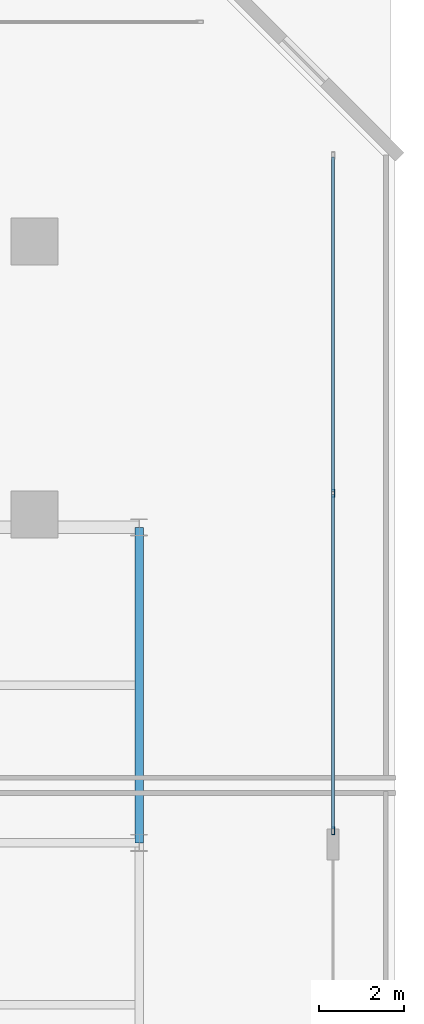
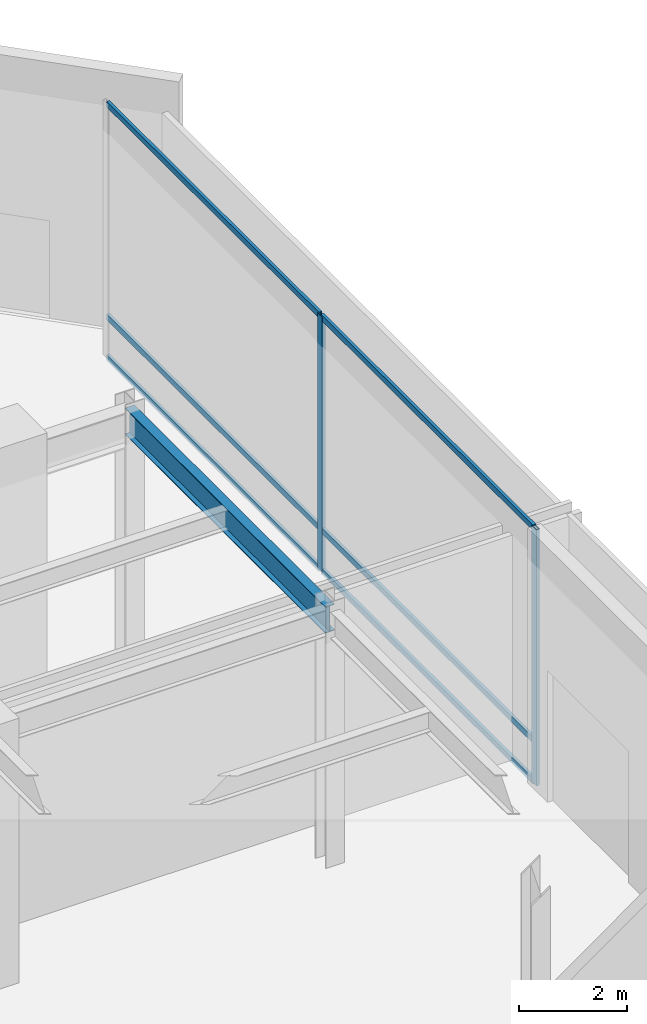
# One storey, part 25 of 40: 8 members, 1 beam, 1 element without a shape of its own.
"""IFC4 building model written with IfcOpenShell, lengths in metres."""

import ifcopenshell
import ifcopenshell.guid

model = None  # the IFC model being written
_history = None  # IfcOwnerHistory: only IFC2X3 demands one
_inside = {}  # id of a spatial element -> (the spatial element, [elements in it])
_under = {}  # id of a project, library or spatial element -> (it, [spatial elements below it])
_declared = {}  # id of a project -> (the project, [libraries it declares])
_typed = {}  # id of a type object -> (the type object, [elements of that type])
_made_of = {}  # id of a material, layer set ... -> (it, [elements and type objects made of it])


def new_model(schema):
    """Start an empty IFC model of exactly this schema.

    Asked for "IFC4X3", IfcOpenShell would pick the latest addendum, in which some entities
    have other attributes; the version numbers below select the first issue.
    IFC2X3 requires an IfcOwnerHistory on every rooted entity: one is made here for all.
    """
    global model, _history
    if schema == "IFC4X3":
        model = ifcopenshell.file(schema_version=(4, 3, 0, 0))
    else:
        model = ifcopenshell.file(schema=schema)
    _inside.clear()
    _under.clear()
    _declared.clear()
    _typed.clear()
    _made_of.clear()
    _history = None
    if model.schema == "IFC2X3":
        org = make("IfcOrganization", Name="unknown")
        user = make(
            "IfcPersonAndOrganization",
            ThePerson=make("IfcPerson", FamilyName="unknown"),
            TheOrganization=org,
        )
        app = make(
            "IfcApplication",
            ApplicationDeveloper=org,
            Version="unknown",
            ApplicationFullName="unknown",
            ApplicationIdentifier="unknown",
        )
        _history = make(
            "IfcOwnerHistory",
            OwningUser=user,
            OwningApplication=app,
            ChangeAction="ADDED",
            CreationDate=0,
        )
    return model


def make(cls, **values):
    """One entity of the class cls with the attributes given. An attribute that is None is left unset."""
    return model.create_entity(
        cls, **{name: value for name, value in values.items() if value is not None}
    )


def rooted(cls, **values):
    """An entity with a GlobalId (a new one), such as an element, a storey or a relation."""
    return make(cls, GlobalId=ifcopenshell.guid.new(), OwnerHistory=_history, **values)


def si_unit(unit_type, name, prefix=None):
    """IfcSIUnit, for example si_unit("LENGTHUNIT", "METRE", prefix="MILLI")."""
    return make("IfcSIUnit", UnitType=unit_type, Prefix=prefix, Name=name)


def assignment(units):
    """IfcUnitAssignment: the units of a project."""
    return None if units is None else make("IfcUnitAssignment", Units=units)


def point(xyz):
    """IfcCartesianPoint."""
    return None if xyz is None else make("IfcCartesianPoint", Coordinates=xyz)


def direction(xyz):
    """IfcDirection."""
    return None if xyz is None else make("IfcDirection", DirectionRatios=xyz)


def frame(location, z_axis=None, x_axis=None):
    """IfcAxis2Placement3D, a coordinate frame: its origin and axes. An axis left out is left unset."""
    return make(
        "IfcAxis2Placement3D",
        Location=point(location),
        Axis=direction(z_axis),
        RefDirection=direction(x_axis),
    )


def frame_2d(location, x_axis=None):
    """IfcAxis2Placement2D, a coordinate frame in the plane: its origin and x axis."""
    return make(
        "IfcAxis2Placement2D", Location=point(location), RefDirection=direction(x_axis)
    )


def origin():
    """The frame at (0, 0, 0) with its axes left unset."""
    return frame((0.0, 0.0, 0.0))


def origin_2d():
    """The frame at (0, 0) in the plane with its x axis left unset."""
    return frame_2d((0.0, 0.0))


def place(relative_to, where):
    """IfcLocalPlacement: puts the frame where relative to a parent placement (None: the world)."""
    return make(
        "IfcLocalPlacement", PlacementRelTo=relative_to, RelativePlacement=where
    )


def context(
    kind, dimensions, precision=None, world=None, true_north=None, identifier=None
):
    """IfcGeometricRepresentationContext, for example the 3D "Model" context."""
    return make(
        "IfcGeometricRepresentationContext",
        ContextIdentifier=identifier,
        ContextType=kind,
        CoordinateSpaceDimension=dimensions,
        Precision=precision,
        WorldCoordinateSystem=world,
        TrueNorth=true_north,
    )


def subcontext(parent, identifier, kind, view, scale=None):
    """IfcGeometricRepresentationSubContext, for example "Body" below "Model"."""
    return make(
        "IfcGeometricRepresentationSubContext",
        ContextIdentifier=identifier,
        ContextType=kind,
        ParentContext=parent,
        TargetScale=scale,
        TargetView=view,
    )


def project(units=None, contexts=None):
    """IfcProject with its units and contexts."""
    return rooted(
        "IfcProject",
        Name="project",
        RepresentationContexts=contexts,
        UnitsInContext=assignment(units),
    )


def spatial(cls, under=None, at=None, **own):
    """A site, building, storey or space (cls), placed at a placement, below another one or the project."""
    s = rooted(cls, ObjectPlacement=at, **own)
    if under is not None:
        _under.setdefault(under.id(), (under, []))[1].append(s)
    return s


def profile(cls, at=None, kind="AREA", **sizes):
    """A parametric profile (cls). Its sizes go by their IFC names, for example OverallWidth=200.0."""
    return make(cls, ProfileType=kind, Position=at, **sizes)


def hollow_rectangle(**sizes):
    """IfcRectangleHollowProfileDef."""
    return profile("IfcRectangleHollowProfileDef", **sizes)


def i_section(**sizes):
    """IfcIShapeProfileDef."""
    return profile("IfcIShapeProfileDef", **sizes)


def extrude(swept, where, along, depth):
    """IfcExtrudedAreaSolid: the profile swept, set in the frame where, extruded along a direction by depth."""
    return make(
        "IfcExtrudedAreaSolid",
        SweptArea=swept,
        Position=where,
        ExtrudedDirection=direction(along),
        Depth=depth,
    )


def shape(context_of_items, identifier, shape_type, items):
    """IfcShapeRepresentation: the items that make up one representation, for example the "Body"."""
    return make(
        "IfcShapeRepresentation",
        ContextOfItems=context_of_items,
        RepresentationIdentifier=identifier,
        RepresentationType=shape_type,
        Items=items,
    )


def material(Name=None, Category=None):
    """IfcMaterial."""
    return make("IfcMaterial", Name=Name, Category=Category)


def layer(
    of_material, thickness, ventilated=None, Name=None, Category=None, Priority=None
):
    """IfcMaterialLayer: one layer of a wall or slab, of a material (None: an air gap)."""
    return make(
        "IfcMaterialLayer",
        Material=of_material,
        LayerThickness=thickness,
        IsVentilated=ventilated,
        Name=Name,
        Category=Category,
        Priority=Priority,
    )


def layer_set(layers, Name=None):
    """IfcMaterialLayerSet."""
    return make("IfcMaterialLayerSet", MaterialLayers=layers, LayerSetName=Name)


def material_profile(
    of_material, cross_section, Name=None, Category=None, Priority=None
):
    """IfcMaterialProfile: a cross section and its material."""
    return make(
        "IfcMaterialProfile",
        Name=Name,
        Material=of_material,
        Profile=cross_section,
        Priority=Priority,
        Category=Category,
    )


def profile_set(profiles, Name=None, composite=None):
    """IfcMaterialProfileSet."""
    return make(
        "IfcMaterialProfileSet",
        Name=Name,
        MaterialProfiles=profiles,
        CompositeProfile=composite,
    )


def made_of(thing, what):
    """Note that an element or type object is made of a material, layer set ...; save() writes the relation."""
    if what is not None:
        _made_of.setdefault(what.id(), (what, []))[1].append(thing)
    return thing


def type_object(cls, material=None, **own):
    """A type object (cls), such as IfcWallType, which elements share."""
    return made_of(rooted(cls, **own), material)


def element(
    cls,
    number,
    at=None,
    inside=None,
    cuts=None,
    type_object=None,
    material=None,
    context=None,
    identifier="Body",
    shape_type=None,
    held_by="IfcProductDefinitionShape",
    body=None,
    shapes=None,
    **own,
):
    """One element of the class cls, such as IfcWall. Its Tag is "e" and its number.

    at: its placement. inside: the storey or other place that contains it. cuts: it is an
    opening in that element (IfcRelVoidsElement). A single representation is given by context,
    identifier, shape_type and body (its items); several are given by shapes. held_by: the class
    of the entity that holds the representations. save() writes the other relations.
    """
    e = rooted(cls, Tag="e%d" % number, ObjectPlacement=at, **own)
    if body is not None:
        shapes = [shape(context, identifier, shape_type, body)]
    if shapes is not None:
        e.Representation = make(held_by, Representations=shapes)
    if inside is not None:
        _inside.setdefault(inside.id(), (inside, []))[1].append(e)
    if cuts is not None:
        rooted(
            "IfcRelVoidsElement", RelatingBuildingElement=cuts, RelatedOpeningElement=e
        )
    if type_object is not None:
        _typed.setdefault(type_object.id(), (type_object, []))[1].append(e)
    return made_of(e, material)


def aggregate(whole, parts):
    """IfcRelAggregates: a whole, such as a stair, and the parts it consists of."""
    return rooted("IfcRelAggregates", RelatingObject=whole, RelatedObjects=parts)


def save(model, path):
    """Write the relations noted so far, then the file.

    IfcRelAggregates (storeys below a building ...), IfcRelContainedInSpatialStructure (elements
    in a storey), IfcRelDefinesByType, IfcRelAssociatesMaterial and IfcRelDeclares: one each for
    every whole, place, type object, material and project.
    """
    for whole, parts in _under.values():
        aggregate(whole, parts)
    for where, things in _inside.values():
        rooted(
            "IfcRelContainedInSpatialStructure",
            RelatedElements=things,
            RelatingStructure=where,
        )
    for kind, things in _typed.values():
        rooted("IfcRelDefinesByType", RelatedObjects=things, RelatingType=kind)
    for what, things in _made_of.values():
        rooted("IfcRelAssociatesMaterial", RelatedObjects=things, RelatingMaterial=what)
    for by, libraries in _declared.values():
        rooted("IfcRelDeclares", RelatingContext=by, RelatedDefinitions=libraries)
    model.write(path)


model = new_model("IFC4")

# Units and contexts
model_context = context("Model", 3, precision=1e-05, world=origin(), true_north=direction((0.0, 1.0)))
body_context = subcontext(model_context, "Body", "Model", "MODEL_VIEW")
ifc_project = project(units=[si_unit("LENGTHUNIT", "METRE"), si_unit("AREAUNIT", "SQUARE_METRE"), si_unit("VOLUMEUNIT", "CUBIC_METRE"), si_unit("PLANEANGLEUNIT", "RADIAN"), si_unit("MASSUNIT", "GRAM", prefix="KILO")], contexts=[model_context])

# Site, building, storey
site_placement = place(None, origin())
site = spatial("IfcSite", under=ifc_project, at=site_placement, CompositionType="ELEMENT")
building_placement = place(site_placement, origin())
building = spatial("IfcBuilding", under=site, at=building_placement, Name="Qianvela Tower", CompositionType="ELEMENT")
storey_placement = place(building_placement, origin())
storey = spatial("IfcBuildingStorey", under=building, at=storey_placement, Name="L00", CompositionType="ELEMENT", Elevation=0.0)

# Beam
ifc_material_1 = material(Name="Steel Q355B", Category="steel")
ifc_material_profile_1 = material_profile(ifc_material_1, i_section(OverallWidth=0.199951171875, OverallDepth=0.60009765625, WebThickness=0.010986328125, FlangeThickness=0.01708984375, at=origin_2d()), Name="HN600x200x11x17")
ifc_profile_set_1 = profile_set([ifc_material_profile_1], Name="Steel Q355B")
beam_type = type_object("IfcBeamType", Name="BM-HN600-GIRD", PredefinedType="BEAM", material=ifc_profile_set_1)
beam_placement = place(storey_placement, frame((67.5, 29.800048828125, 5.47802734375), z_axis=(0.0, 1.0, 0.0), x_axis=(-1.0, 0.0, 0.0)))
element("IfcBeam", 1, at=beam_placement, inside=storey, type_object=beam_type, Name="L00 North-South Grid Girder 34", PredefinedType="BEAM", context=body_context, shape_type="SweptSolid", body=[
    extrude(i_section(OverallWidth=0.199951171875, OverallDepth=0.60009765625, WebThickness=0.010986328125, FlangeThickness=0.01708984375, at=origin_2d()), origin(), (0.0, 0.0, 1.0), 7.39990234375),
])

# Curtain wall, members
ifc_material_2 = material(Name="Anodised Architectural Aluminium and Low-E Glass", Category="aluminium")
ifc_layer = layer(ifc_material_2, 0.199951171875)
ifc_layer_set = layer_set([ifc_layer], Name="Anodised Architectural Aluminium and Low-E Glass")
curtain_wall_type = type_object("IfcCurtainWallType", Name="CW-CONCOURSE", PredefinedType="USERDEFINED", material=ifc_layer_set)
curtain_wall_placement = place(storey_placement, origin())
curtain_wall = element("IfcCurtainWall", 2, at=curtain_wall_placement, inside=storey, type_object=curtain_wall_type, Name="L00 CW-CONCOURSE Curtain Wall 03B", ObjectType="CURTAIN_WALL_SYSTEM", PredefinedType="USERDEFINED")
ifc_material_3 = material(Name="Anodised Architectural Aluminium 6063-T6", Category="aluminium")
ifc_material_profile_2 = material_profile(ifc_material_3, hollow_rectangle(XDim=0.070068359375, YDim=0.179931640625, WallThickness=0.0048828125, at=origin_2d()), Name="ALU-MULL-70x180")
ifc_profile_set_2 = profile_set([ifc_material_profile_2], Name="Anodised Architectural Aluminium 6063-T6")
member_type_1 = type_object("IfcMemberType", Name="CW-CONCOURSE-MULL", PredefinedType="MULLION", material=ifc_profile_set_2)
member_1_placement = place(storey_placement, frame((72.050048828125, 30.0849609375, 0.0), z_axis=(0.0, 0.0, 1.0), x_axis=(-1.0, 0.0, 0.0)))
member_1 = element("IfcMember", 3, at=member_1_placement, type_object=member_type_1, Name="CW-1 mullion 1", PredefinedType="MULLION", context=body_context, shape_type="SweptSolid", body=[
    extrude(hollow_rectangle(XDim=0.070068359375, YDim=0.179931640625, WallThickness=0.0048828125, at=origin_2d()), origin(), (0.0, 0.0, 1.0), 5.780029296875),
])
member_2_placement = place(storey_placement, frame((72.050048828125, 38.0, 0.0), z_axis=(0.0, 0.0, 1.0), x_axis=(-1.0, 0.0, 0.0)))
member_2 = element("IfcMember", 4, at=member_2_placement, type_object=member_type_1, Name="CW-1 mullion 2", PredefinedType="MULLION", context=body_context, shape_type="SweptSolid", body=[
    extrude(hollow_rectangle(XDim=0.070068359375, YDim=0.179931640625, WallThickness=0.0048828125, at=origin_2d()), origin(), (0.0, 0.0, 1.0), 5.780029296875),
])
ifc_material_4 = material(Name="Anodised Architectural Aluminium 6063-T6", Category="aluminium")
ifc_material_profile_3 = material_profile(ifc_material_4, hollow_rectangle(XDim=0.06494140625, YDim=0.1298828125, WallThickness=0.00439453125, at=origin_2d()), Name="ALU-TRAN-65x130")
ifc_profile_set_3 = profile_set([ifc_material_profile_3], Name="Anodised Architectural Aluminium 6063-T6")
member_type_2 = type_object("IfcMemberType", Name="CW-CONCOURSE-TRAN", PredefinedType="USERDEFINED", material=ifc_profile_set_3)
member_3_placement = place(storey_placement, frame((72.050048828125, 30.1201171875, 0.032470703125), z_axis=(0.0, 1.0, 0.0), x_axis=(-1.0, 0.0, 0.0)))
member_3 = element("IfcMember", 5, at=member_3_placement, type_object=member_type_2, Name="CW-1 transom 1.1", ObjectType="TRANSOM", PredefinedType="USERDEFINED", context=body_context, shape_type="SweptSolid", body=[
    extrude(hollow_rectangle(XDim=0.06494140625, YDim=0.1298828125, WallThickness=0.00439453125, at=origin_2d()), origin(), (0.0, 0.0, 1.0), 7.844970703125),
])
member_4_placement = place(storey_placement, frame((72.050048828125, 30.1201171875, 0.949951171875), z_axis=(0.0, 1.0, 0.0), x_axis=(-1.0, 0.0, 0.0)))
member_4 = element("IfcMember", 6, at=member_4_placement, type_object=member_type_2, Name="CW-1 transom 1.2", ObjectType="TRANSOM", PredefinedType="USERDEFINED", context=body_context, shape_type="SweptSolid", body=[
    extrude(hollow_rectangle(XDim=0.06494140625, YDim=0.1298828125, WallThickness=0.00439453125, at=origin_2d()), origin(), (0.0, 0.0, 1.0), 7.844970703125),
])
member_5_placement = place(storey_placement, frame((72.050048828125, 30.1201171875, 5.74755859375), z_axis=(0.0, 1.0, 0.0), x_axis=(-1.0, 0.0, 0.0)))
member_5 = element("IfcMember", 7, at=member_5_placement, type_object=member_type_2, Name="CW-1 transom 1.3", ObjectType="TRANSOM", PredefinedType="USERDEFINED", context=body_context, shape_type="SweptSolid", body=[
    extrude(hollow_rectangle(XDim=0.06494140625, YDim=0.1298828125, WallThickness=0.00439453125, at=origin_2d()), origin(), (0.0, 0.0, 1.0), 7.844970703125),
])
member_6_placement = place(storey_placement, frame((72.050048828125, 38.034912109375, 0.032470703125), z_axis=(0.0, 1.0, 0.0), x_axis=(-1.0, 0.0, 0.0)))
member_6 = element("IfcMember", 8, at=member_6_placement, type_object=member_type_2, Name="CW-1 transom 2.1", ObjectType="TRANSOM", PredefinedType="USERDEFINED", context=body_context, shape_type="SweptSolid", body=[
    extrude(hollow_rectangle(XDim=0.06494140625, YDim=0.1298828125, WallThickness=0.00439453125, at=origin_2d()), origin(), (0.0, 0.0, 1.0), 7.844970703125),
])
member_7_placement = place(storey_placement, frame((72.050048828125, 38.034912109375, 0.949951171875), z_axis=(0.0, 1.0, 0.0), x_axis=(-1.0, 0.0, 0.0)))
member_7 = element("IfcMember", 9, at=member_7_placement, type_object=member_type_2, Name="CW-1 transom 2.2", ObjectType="TRANSOM", PredefinedType="USERDEFINED", context=body_context, shape_type="SweptSolid", body=[
    extrude(hollow_rectangle(XDim=0.06494140625, YDim=0.1298828125, WallThickness=0.00439453125, at=origin_2d()), origin(), (0.0, 0.0, 1.0), 7.844970703125),
])
member_8_placement = place(storey_placement, frame((72.050048828125, 38.034912109375, 5.74755859375), z_axis=(0.0, 1.0, 0.0), x_axis=(-1.0, 0.0, 0.0)))
member_8 = element("IfcMember", 10, at=member_8_placement, type_object=member_type_2, Name="CW-1 transom 2.3", ObjectType="TRANSOM", PredefinedType="USERDEFINED", context=body_context, shape_type="SweptSolid", body=[
    extrude(hollow_rectangle(XDim=0.06494140625, YDim=0.1298828125, WallThickness=0.00439453125, at=origin_2d()), origin(), (0.0, 0.0, 1.0), 7.844970703125),
])
aggregate(curtain_wall, [member_1, member_2, member_3, member_4, member_5, member_6, member_7, member_8])

save(model, "model.ifc")
